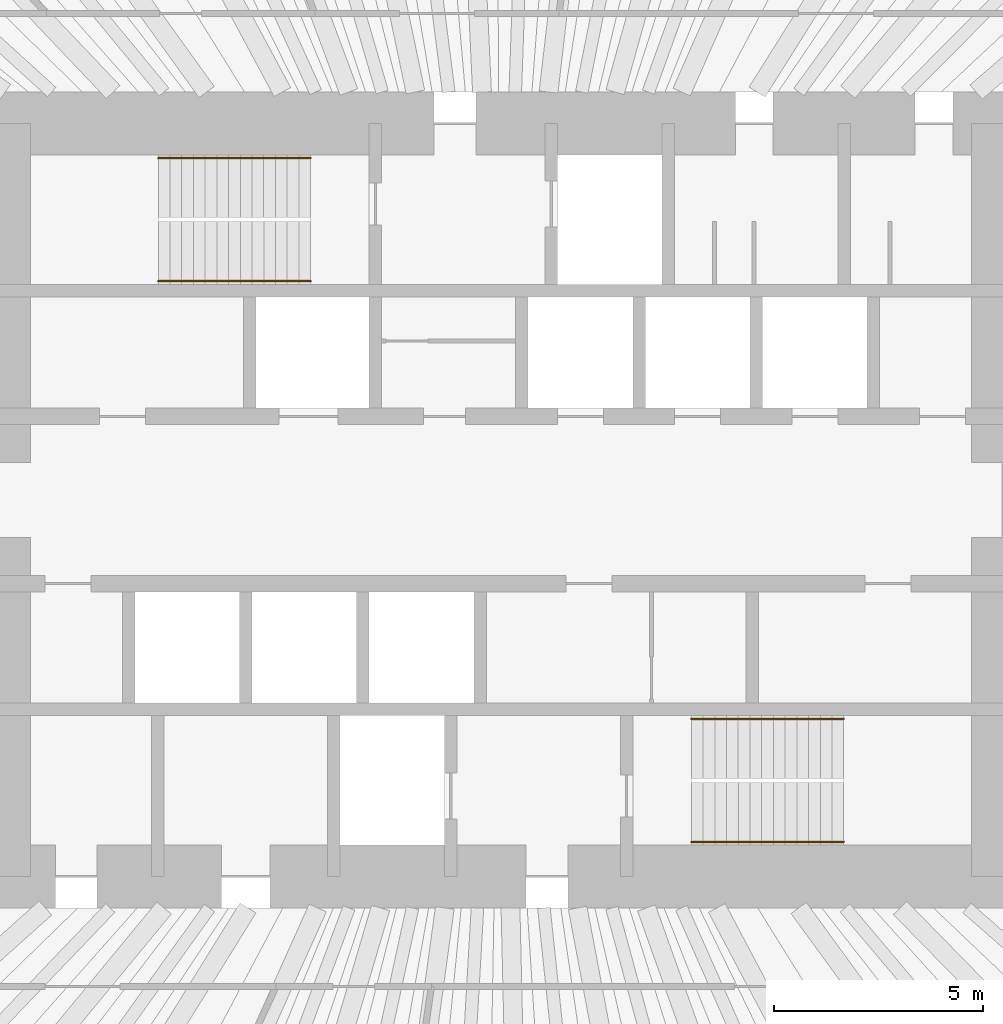
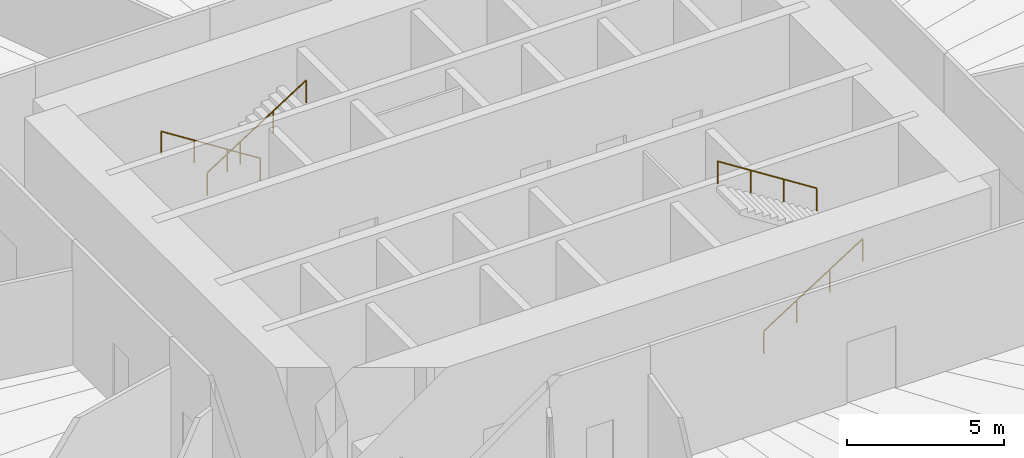
# One storey, part 13 of 13: 4 railings.
"""IFC4 building model written with IfcOpenShell, lengths in metres."""

from ifc_helpers import new_model, si_unit, direction, frame, origin, origin_2d, place, context, subcontext, project, spatial, circle, extrude, material, type_object, element, save


model = new_model("IFC4")

# Units and contexts
model_context = context("Model", 3, precision=1e-05, world=origin(), true_north=direction((0.0, 1.0)))
body_context = subcontext(model_context, "Body", "Model", "MODEL_VIEW")
ifc_project = project(units=[si_unit("LENGTHUNIT", "METRE"), si_unit("AREAUNIT", "SQUARE_METRE"), si_unit("VOLUMEUNIT", "CUBIC_METRE"), si_unit("PLANEANGLEUNIT", "RADIAN"), si_unit("MASSUNIT", "GRAM", prefix="KILO")], contexts=[model_context])

# Site, building, storey
site_placement = place(None, origin())
site = spatial("IfcSite", under=ifc_project, at=site_placement, CompositionType="ELEMENT")
building_placement = place(site_placement, origin())
building = spatial("IfcBuilding", under=site, at=building_placement, Name="Qingtian Harvest Tower", CompositionType="ELEMENT")
storey_placement = place(building_placement, frame((0.0, 0.0, 47.0)))
storey = spatial("IfcBuildingStorey", under=building, at=storey_placement, Name="L09", CompositionType="ELEMENT", Elevation=47.0)

# Railings
ifc_material = material(Name="Stainless steel handrail", Category="steel")
railing_type = type_object("IfcRailingType", Name="Handrail HR1", PredefinedType="HANDRAIL", material=ifc_material)
railing_1_placement = place(storey_placement, frame((-4.550048828125, 8.169921875, 0.178466796875)))
element("IfcRailing", 1, at=railing_1_placement, inside=storey, type_object=railing_type, Name="Handrail HR1 S1 flight 1", PredefinedType="HANDRAIL", context=body_context, shape_type="SweptSolid", body=[
    extrude(circle(Radius=0.02392578125, at=origin_2d()), frame((0.0, 0.0, 0.8759765625), z_axis=(-0.843111507901, 0.0, 0.53773877045), x_axis=(0.0, -1.0, 0.0)), (0.0, 0.0, 1.0), 4.317138671875),
    extrude(circle(Radius=0.02099609375, at=origin_2d()), origin(), (0.0, 0.0, 1.0), 0.851806640625),
    extrude(circle(Radius=0.02099609375, at=origin_2d()), frame((-1.21337890625, 0.0, 0.77392578125)), (0.0, 0.0, 1.0), 0.851806640625),
    extrude(circle(Radius=0.02099609375, at=origin_2d()), frame((-2.426513671875, 0.0, 1.547607421875)), (0.0, 0.0, 1.0), 0.851806640625),
    extrude(circle(Radius=0.02099609375, at=origin_2d()), frame((-3.639892578125, 0.0, 2.321533203125)), (0.0, 0.0, 1.0), 0.851806640625),
])
for number, where, name in (
    (2, (-8.18994140625, 5.22998046875, 2.678466796875), "Handrail HR1 S1 flight 2"),
    (3, (4.550048828125, -8.169921875, 0.178466796875), "Handrail HR1 S2 flight 1"),
):
    element("IfcRailing", number, at=place(storey_placement, frame(where)), inside=storey, type_object=railing_type, Name=name, PredefinedType="HANDRAIL", context=body_context, shape_type="SweptSolid", body=[
        extrude(circle(Radius=0.02392578125, at=origin_2d()), frame((0.0, 0.0, 0.8759765625), z_axis=(0.843111507901, 0.0, 0.53773877045), x_axis=(0.0, 1.0, 0.0)), (0.0, 0.0, 1.0), 4.317138671875),
        extrude(circle(Radius=0.02099609375, at=origin_2d()), origin(), (0.0, 0.0, 1.0), 0.851806640625),
        extrude(circle(Radius=0.02099609375, at=origin_2d()), frame((1.21337890625, 0.0, 0.77392578125)), (0.0, 0.0, 1.0), 0.851806640625),
        extrude(circle(Radius=0.02099609375, at=origin_2d()), frame((2.426513671875, 0.0, 1.547607421875)), (0.0, 0.0, 1.0), 0.851806640625),
        extrude(circle(Radius=0.02099609375, at=origin_2d()), frame((3.639892578125, 0.0, 2.321533203125)), (0.0, 0.0, 1.0), 0.851806640625),
    ])
railing_2_placement = place(storey_placement, frame((8.18994140625, -5.22998046875, 2.678466796875)))
element("IfcRailing", 4, at=railing_2_placement, inside=storey, type_object=railing_type, Name="Handrail HR1 S2 flight 2", PredefinedType="HANDRAIL", context=body_context, shape_type="SweptSolid", body=[
    extrude(circle(Radius=0.02392578125, at=origin_2d()), frame((0.0, 0.0, 0.8759765625), z_axis=(-0.843111507901, 0.0, 0.53773877045), x_axis=(0.0, -1.0, 0.0)), (0.0, 0.0, 1.0), 4.317138671875),
    extrude(circle(Radius=0.02099609375, at=origin_2d()), origin(), (0.0, 0.0, 1.0), 0.851806640625),
    extrude(circle(Radius=0.02099609375, at=origin_2d()), frame((-1.21337890625, 0.0, 0.77392578125)), (0.0, 0.0, 1.0), 0.851806640625),
    extrude(circle(Radius=0.02099609375, at=origin_2d()), frame((-2.426513671875, 0.0, 1.547607421875)), (0.0, 0.0, 1.0), 0.851806640625),
    extrude(circle(Radius=0.02099609375, at=origin_2d()), frame((-3.639892578125, 0.0, 2.321533203125)), (0.0, 0.0, 1.0), 0.851806640625),
])

save(model, "model.ifc")
